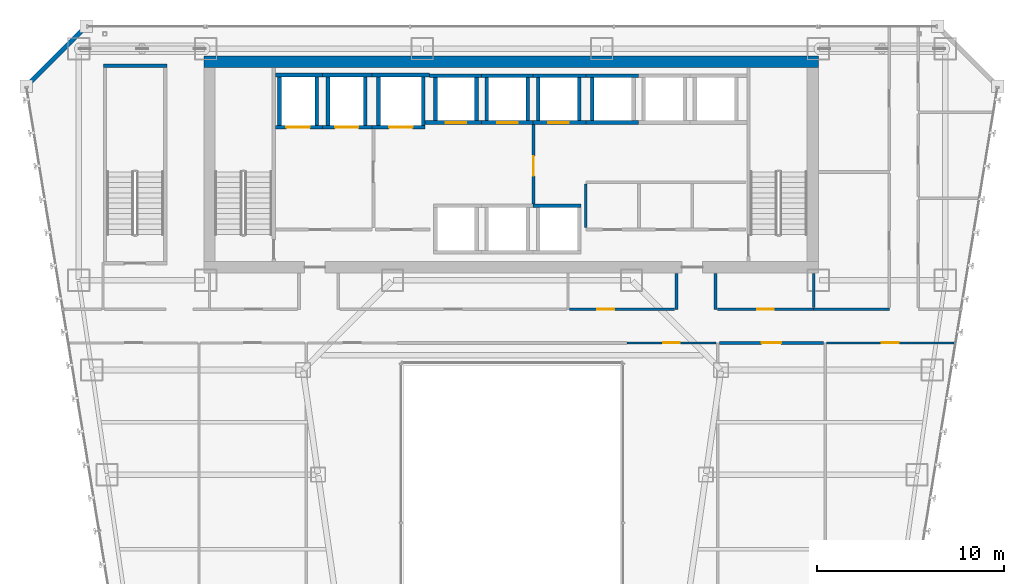
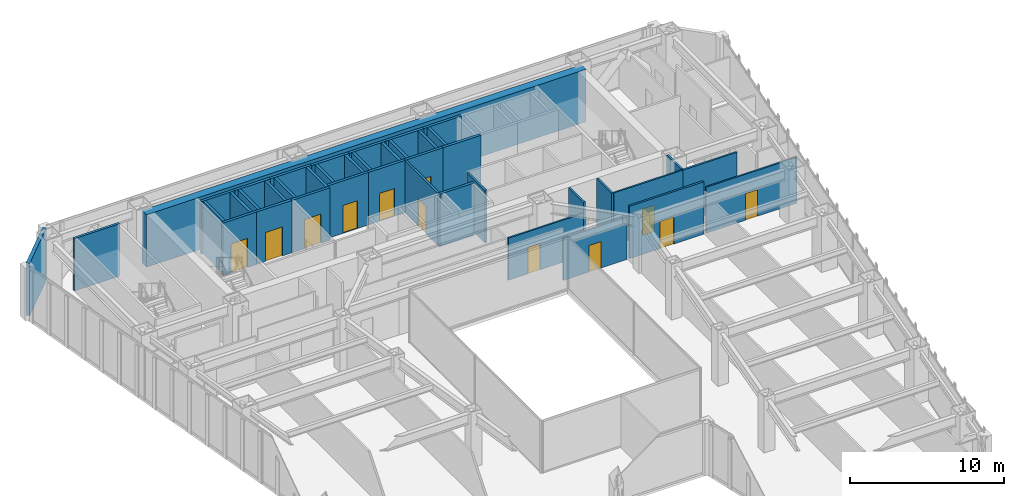
# One storey, part 37 of 47: 42 walls, 12 doors, 12 openings.
"""IFC4 building model written with IfcOpenShell, lengths in metres."""

import ifcopenshell
import ifcopenshell.guid

model = None  # the IFC model being written
_history = None  # IfcOwnerHistory: only IFC2X3 demands one
_inside = {}  # id of a spatial element -> (the spatial element, [elements in it])
_under = {}  # id of a project, library or spatial element -> (it, [spatial elements below it])
_declared = {}  # id of a project -> (the project, [libraries it declares])
_typed = {}  # id of a type object -> (the type object, [elements of that type])
_made_of = {}  # id of a material, layer set ... -> (it, [elements and type objects made of it])


def new_model(schema):
    """Start an empty IFC model of exactly this schema.

    Asked for "IFC4X3", IfcOpenShell would pick the latest addendum, in which some entities
    have other attributes; the version numbers below select the first issue.
    IFC2X3 requires an IfcOwnerHistory on every rooted entity: one is made here for all.
    """
    global model, _history
    if schema == "IFC4X3":
        model = ifcopenshell.file(schema_version=(4, 3, 0, 0))
    else:
        model = ifcopenshell.file(schema=schema)
    _inside.clear()
    _under.clear()
    _declared.clear()
    _typed.clear()
    _made_of.clear()
    _history = None
    if model.schema == "IFC2X3":
        org = make("IfcOrganization", Name="unknown")
        user = make(
            "IfcPersonAndOrganization",
            ThePerson=make("IfcPerson", FamilyName="unknown"),
            TheOrganization=org,
        )
        app = make(
            "IfcApplication",
            ApplicationDeveloper=org,
            Version="unknown",
            ApplicationFullName="unknown",
            ApplicationIdentifier="unknown",
        )
        _history = make(
            "IfcOwnerHistory",
            OwningUser=user,
            OwningApplication=app,
            ChangeAction="ADDED",
            CreationDate=0,
        )
    return model


def make(cls, **values):
    """One entity of the class cls with the attributes given. An attribute that is None is left unset."""
    return model.create_entity(
        cls, **{name: value for name, value in values.items() if value is not None}
    )


def rooted(cls, **values):
    """An entity with a GlobalId (a new one), such as an element, a storey or a relation."""
    return make(cls, GlobalId=ifcopenshell.guid.new(), OwnerHistory=_history, **values)


def si_unit(unit_type, name, prefix=None):
    """IfcSIUnit, for example si_unit("LENGTHUNIT", "METRE", prefix="MILLI")."""
    return make("IfcSIUnit", UnitType=unit_type, Prefix=prefix, Name=name)


def assignment(units):
    """IfcUnitAssignment: the units of a project."""
    return None if units is None else make("IfcUnitAssignment", Units=units)


def point(xyz):
    """IfcCartesianPoint."""
    return None if xyz is None else make("IfcCartesianPoint", Coordinates=xyz)


def direction(xyz):
    """IfcDirection."""
    return None if xyz is None else make("IfcDirection", DirectionRatios=xyz)


def frame(location, z_axis=None, x_axis=None):
    """IfcAxis2Placement3D, a coordinate frame: its origin and axes. An axis left out is left unset."""
    return make(
        "IfcAxis2Placement3D",
        Location=point(location),
        Axis=direction(z_axis),
        RefDirection=direction(x_axis),
    )


def frame_2d(location, x_axis=None):
    """IfcAxis2Placement2D, a coordinate frame in the plane: its origin and x axis."""
    return make(
        "IfcAxis2Placement2D", Location=point(location), RefDirection=direction(x_axis)
    )


def origin():
    """The frame at (0, 0, 0) with its axes left unset."""
    return frame((0.0, 0.0, 0.0))


def place(relative_to, where):
    """IfcLocalPlacement: puts the frame where relative to a parent placement (None: the world)."""
    return make(
        "IfcLocalPlacement", PlacementRelTo=relative_to, RelativePlacement=where
    )


def context(
    kind, dimensions, precision=None, world=None, true_north=None, identifier=None
):
    """IfcGeometricRepresentationContext, for example the 3D "Model" context."""
    return make(
        "IfcGeometricRepresentationContext",
        ContextIdentifier=identifier,
        ContextType=kind,
        CoordinateSpaceDimension=dimensions,
        Precision=precision,
        WorldCoordinateSystem=world,
        TrueNorth=true_north,
    )


def subcontext(parent, identifier, kind, view, scale=None):
    """IfcGeometricRepresentationSubContext, for example "Body" below "Model"."""
    return make(
        "IfcGeometricRepresentationSubContext",
        ContextIdentifier=identifier,
        ContextType=kind,
        ParentContext=parent,
        TargetScale=scale,
        TargetView=view,
    )


def project(units=None, contexts=None):
    """IfcProject with its units and contexts."""
    return rooted(
        "IfcProject",
        Name="project",
        RepresentationContexts=contexts,
        UnitsInContext=assignment(units),
    )


def spatial(cls, under=None, at=None, **own):
    """A site, building, storey or space (cls), placed at a placement, below another one or the project."""
    s = rooted(cls, ObjectPlacement=at, **own)
    if under is not None:
        _under.setdefault(under.id(), (under, []))[1].append(s)
    return s


def profile(cls, at=None, kind="AREA", **sizes):
    """A parametric profile (cls). Its sizes go by their IFC names, for example OverallWidth=200.0."""
    return make(cls, ProfileType=kind, Position=at, **sizes)


def rectangle(**sizes):
    """IfcRectangleProfileDef."""
    return profile("IfcRectangleProfileDef", **sizes)


def extrude(swept, where, along, depth):
    """IfcExtrudedAreaSolid: the profile swept, set in the frame where, extruded along a direction by depth."""
    return make(
        "IfcExtrudedAreaSolid",
        SweptArea=swept,
        Position=where,
        ExtrudedDirection=direction(along),
        Depth=depth,
    )


def shape(context_of_items, identifier, shape_type, items):
    """IfcShapeRepresentation: the items that make up one representation, for example the "Body"."""
    return make(
        "IfcShapeRepresentation",
        ContextOfItems=context_of_items,
        RepresentationIdentifier=identifier,
        RepresentationType=shape_type,
        Items=items,
    )


def material(Name=None, Category=None):
    """IfcMaterial."""
    return make("IfcMaterial", Name=Name, Category=Category)


def layer(
    of_material, thickness, ventilated=None, Name=None, Category=None, Priority=None
):
    """IfcMaterialLayer: one layer of a wall or slab, of a material (None: an air gap)."""
    return make(
        "IfcMaterialLayer",
        Material=of_material,
        LayerThickness=thickness,
        IsVentilated=ventilated,
        Name=Name,
        Category=Category,
        Priority=Priority,
    )


def layer_set(layers, Name=None):
    """IfcMaterialLayerSet."""
    return make("IfcMaterialLayerSet", MaterialLayers=layers, LayerSetName=Name)


def made_of(thing, what):
    """Note that an element or type object is made of a material, layer set ...; save() writes the relation."""
    if what is not None:
        _made_of.setdefault(what.id(), (what, []))[1].append(thing)
    return thing


def type_object(cls, material=None, **own):
    """A type object (cls), such as IfcWallType, which elements share."""
    return made_of(rooted(cls, **own), material)


def element(
    cls,
    number,
    at=None,
    inside=None,
    cuts=None,
    type_object=None,
    material=None,
    context=None,
    identifier="Body",
    shape_type=None,
    held_by="IfcProductDefinitionShape",
    body=None,
    shapes=None,
    **own,
):
    """One element of the class cls, such as IfcWall. Its Tag is "e" and its number.

    at: its placement. inside: the storey or other place that contains it. cuts: it is an
    opening in that element (IfcRelVoidsElement). A single representation is given by context,
    identifier, shape_type and body (its items); several are given by shapes. held_by: the class
    of the entity that holds the representations. save() writes the other relations.
    """
    e = rooted(cls, Tag="e%d" % number, ObjectPlacement=at, **own)
    if body is not None:
        shapes = [shape(context, identifier, shape_type, body)]
    if shapes is not None:
        e.Representation = make(held_by, Representations=shapes)
    if inside is not None:
        _inside.setdefault(inside.id(), (inside, []))[1].append(e)
    if cuts is not None:
        rooted(
            "IfcRelVoidsElement", RelatingBuildingElement=cuts, RelatedOpeningElement=e
        )
    if type_object is not None:
        _typed.setdefault(type_object.id(), (type_object, []))[1].append(e)
    return made_of(e, material)


def fill(opening, filler):
    """IfcRelFillsElement: the door or window that sits in an opening."""
    return rooted(
        "IfcRelFillsElement",
        RelatingOpeningElement=opening,
        RelatedBuildingElement=filler,
    )


def aggregate(whole, parts):
    """IfcRelAggregates: a whole, such as a stair, and the parts it consists of."""
    return rooted("IfcRelAggregates", RelatingObject=whole, RelatedObjects=parts)


def save(model, path):
    """Write the relations noted so far, then the file.

    IfcRelAggregates (storeys below a building ...), IfcRelContainedInSpatialStructure (elements
    in a storey), IfcRelDefinesByType, IfcRelAssociatesMaterial and IfcRelDeclares: one each for
    every whole, place, type object, material and project.
    """
    for whole, parts in _under.values():
        aggregate(whole, parts)
    for where, things in _inside.values():
        rooted(
            "IfcRelContainedInSpatialStructure",
            RelatedElements=things,
            RelatingStructure=where,
        )
    for kind, things in _typed.values():
        rooted("IfcRelDefinesByType", RelatedObjects=things, RelatingType=kind)
    for what, things in _made_of.values():
        rooted("IfcRelAssociatesMaterial", RelatedObjects=things, RelatingMaterial=what)
    for by, libraries in _declared.values():
        rooted("IfcRelDeclares", RelatingContext=by, RelatedDefinitions=libraries)
    model.write(path)


model = new_model("IFC4")

# Units and contexts
model_context = context("Model", 3, precision=1e-05, world=origin(), true_north=direction((0.0, 1.0)))
body_context = subcontext(model_context, "Body", "Model", "MODEL_VIEW")
ifc_project = project(units=[si_unit("LENGTHUNIT", "METRE"), si_unit("AREAUNIT", "SQUARE_METRE"), si_unit("VOLUMEUNIT", "CUBIC_METRE"), si_unit("PLANEANGLEUNIT", "RADIAN"), si_unit("MASSUNIT", "GRAM", prefix="KILO")], contexts=[model_context])

# Site, building, storey
site_placement = place(None, origin())
site = spatial("IfcSite", under=ifc_project, at=site_placement, CompositionType="ELEMENT")
building_placement = place(site_placement, origin())
building = spatial("IfcBuilding", under=site, at=building_placement, Name="Saevonmaru Cultural Tower", CompositionType="ELEMENT")
storey_placement = place(building_placement, frame((0.0, 0.0, 69.199951171875)))
storey = spatial("IfcBuildingStorey", under=building, at=storey_placement, Name="L14", CompositionType="ELEMENT", Elevation=69.199951171875)

# Wall
ifc_material_1 = material(Name="Concrete C60/75", Category="concrete")
ifc_layer_1 = layer(ifc_material_1, 0.60009765625, Name="Concrete C60/75")
ifc_layer_set_1 = layer_set([ifc_layer_1], Name="Concrete C60/75")
wall_type_1 = type_object("IfcWallType", Name="WL-CORE-600", PredefinedType="SHEAR", material=ifc_layer_set_1)
wall_1_placement = place(storey_placement, frame((13.5, 54.10009765625, 0.0), z_axis=(0.0, 0.0, 1.0), x_axis=(1.0, 0.0, 0.0)))
element("IfcWall", 1, at=wall_1_placement, inside=storey, type_object=wall_type_1, Name="L14 Tower RC core shear wall N", PredefinedType="SHEAR", context=body_context, shape_type="SweptSolid", body=[
    extrude(rectangle(XDim=32.89990234375, YDim=0.60009765625, at=frame_2d((16.449951171875, 0.0))), origin(), (0.0, 0.0, 1.0), 4.150146484375),
])

# Wall, opening, door
ifc_material_2 = material(Name="Gypsum Fireboard Partition", Category="gypsum")
ifc_layer_2 = layer(ifc_material_2, 0.14990234375, Name="Gypsum Fireboard Partition")
ifc_layer_set_2 = layer_set([ifc_layer_2], Name="Gypsum Fireboard Partition")
wall_type_2 = type_object("IfcWallType", Name="WL-CORE-PART-150", PredefinedType="PARTITIONING", material=ifc_layer_set_2)
wall_2_placement = place(storey_placement, frame((31.14990234375, 46.5, 0.0), z_axis=(0.0, 0.0, 1.0), x_axis=(0.0, 1.0, 0.0)))
wall_2 = element("IfcWall", 2, at=wall_2_placement, inside=storey, type_object=wall_type_2, Name="L14 Lift Zone Baffle 1", PredefinedType="PARTITIONING", context=body_context, shape_type="SweptSolid", body=[
    extrude(rectangle(XDim=4.25, YDim=0.14990234375, at=frame_2d((2.125, 0.0))), origin(), (0.0, 0.0, 1.0), 4.150146484375),
])
opening_1_placement = place(wall_2_placement, frame((1.5, 0.0, 0.0)))
opening_1 = element("IfcOpeningElement", 3, at=opening_1_placement, cuts=wall_2, Name="Opening ID-1", PredefinedType="OPENING", context=body_context, shape_type="SweptSolid", body=[
    extrude(rectangle(XDim=1.050048828125, YDim=2.14990234375, at=frame_2d((0.52490234375, 1.074951171875))), frame((0.0, 0.0849609375, 0.0), z_axis=(0.0, -1.0, 0.0), x_axis=(1.0, 0.0, 0.0)), (0.0, 0.0, 1.0), 0.169921875),
])
ifc_material_3 = material(Name="Satin Bronze Anodised Aluminium", Category="aluminium")
door_type_1 = type_object("IfcDoorType", Name="DR-INT-1050", OperationType="SINGLE_SWING_LEFT", PredefinedType="DOOR", material=ifc_material_3)
door_1_placement = place(opening_1_placement, origin())
door_1 = element("IfcDoor", 4, at=door_1_placement, inside=storey, type_object=door_type_1, Name="L14 West-Mid Lobby Portal", OperationType="SINGLE_SWING_LEFT", OverallHeight=2.14990234375, OverallWidth=1.050048828125, PredefinedType="DOOR", context=body_context, shape_type="SweptSolid", body=[
    extrude(rectangle(XDim=1.050048828125, YDim=2.14990234375, at=frame_2d((0.52490234375, 1.074951171875))), frame((0.0, 0.02490234375, 0.0), z_axis=(0.0, -1.0, 0.0), x_axis=(1.0, 0.0, 0.0)), (0.0, 0.0, 1.0), 0.050048828125),
])
fill(opening_1, door_1)

# Walls
wall_3_placement = place(storey_placement, frame((33.949951171875, 45.219970703125, 0.0), z_axis=(0.0, 0.0, 1.0), x_axis=(0.0, 1.0, 0.0)))
element("IfcWall", 5, at=wall_3_placement, inside=storey, type_object=wall_type_2, Name="L14 Core Utility West Wall", PredefinedType="PARTITIONING", context=body_context, shape_type="SweptSolid", body=[
    extrude(rectangle(XDim=2.330078125, YDim=0.14990234375, at=frame_2d((1.1650390625, 0.0))), origin(), (0.0, 0.0, 1.0), 4.150146484375),
])
ifc_material_4 = material(Name="Granite-Clad Precast Concrete C40/50", Category="masonry")
ifc_layer_3 = layer(ifc_material_4, 0.260009765625, Name="Granite-Clad Precast Concrete C40/50")
ifc_layer_set_3 = layer_set([ifc_layer_3], Name="Granite-Clad Precast Concrete C40/50")
wall_type_3 = type_object("IfcWallType", Name="WL-EXT-SPANDREL-260", PredefinedType="STANDARD", material=ifc_layer_set_3)
wall_4_placement = place(storey_placement, frame((7.0869140625, 55.886962890625, 0.0), z_axis=(0.0, 0.0, 1.0), x_axis=(-0.707106781187, -0.707106781187, 0.0)))
element("IfcWall", 6, at=wall_4_placement, inside=storey, type_object=wall_type_3, Name="L14 Chamfer Corner Spandrel Wall E11", PredefinedType="STANDARD", context=body_context, shape_type="SweptSolid", body=[
    extrude(rectangle(XDim=4.205810546875, YDim=0.260009765625, at=frame_2d((2.10302734375, 0.0))), origin(), (0.0, 0.0, 1.0), 4.150146484375),
])
ifc_layer_4 = layer(ifc_material_2, 0.14990234375, Name="Gypsum Fireboard Partition")
ifc_layer_set_4 = layer_set([ifc_layer_4], Name="Gypsum Fireboard Partition")
wall_type_4 = type_object("IfcWallType", Name="WL-PART-FIRE-150", PredefinedType="PARTITIONING", material=ifc_layer_set_4)
for number, where, z_axis, x_axis, name in (
    (7, (38.800048828125, 40.85009765625, 0.0), (0.0, 0.0, 1.0), (0.0, 1.0, 0.0), "L14 Core Portal Side Wall E1"),
    (8, (40.89990234375, 40.85009765625, 0.0), (0.0, 0.0, 1.0), (0.0, 1.0, 0.0), "L14 Core Portal Side Wall E2"),
):
    element("IfcWall", number, at=place(storey_placement, frame(where, z_axis=z_axis, x_axis=x_axis)), inside=storey, type_object=wall_type_4, Name=name, PredefinedType="PARTITIONING", context=body_context, shape_type="SweptSolid", body=[
        extrude(rectangle(XDim=1.929931640625, YDim=0.14990234375, at=frame_2d((0.96484375, 0.0))), origin(), (0.0, 0.0, 1.0), 4.150146484375),
    ])

# Wall, opening, door
wall_5_placement = place(storey_placement, frame((41.107421875, 39.050048828125, 0.0), z_axis=(0.0, 0.0, 1.0), x_axis=(1.0, 0.0, 0.0)))
wall_5 = element("IfcWall", 9, at=wall_5_placement, inside=storey, type_object=wall_type_4, Name="L14 Sky Observatory Gallery Corridor Wall", PredefinedType="PARTITIONING", context=body_context, shape_type="SweptSolid", body=[
    extrude(rectangle(XDim=5.565185546875, YDim=0.14990234375, at=frame_2d((2.78271484375, 0.0))), origin(), (0.0, 0.0, 1.0), 4.150146484375),
])
opening_2_placement = place(wall_5_placement, frame((2.257080078125, 0.0, 0.0)))
opening_2 = element("IfcOpeningElement", 10, at=opening_2_placement, cuts=wall_5, Name="Opening ID-1", PredefinedType="OPENING", context=body_context, shape_type="SweptSolid", body=[
    extrude(rectangle(XDim=1.050048828125, YDim=2.14990234375, at=frame_2d((0.52490234375, 1.074951171875))), frame((0.0, 0.0849609375, 0.0), z_axis=(0.0, -1.0, 0.0), x_axis=(1.0, 0.0, 0.0)), (0.0, 0.0, 1.0), 0.169921875),
])
door_2_placement = place(opening_2_placement, origin())
door_2 = element("IfcDoor", 11, at=door_2_placement, inside=storey, type_object=door_type_1, Name="L14 Sky Observatory Gallery Door", OperationType="SINGLE_SWING_LEFT", OverallHeight=2.14990234375, OverallWidth=1.050048828125, PredefinedType="DOOR", context=body_context, shape_type="SweptSolid", body=[
    extrude(rectangle(XDim=1.050048828125, YDim=2.14990234375, at=frame_2d((0.52490234375, 1.074951171875))), frame((0.0, 0.02490234375, 0.0), z_axis=(0.0, -1.0, 0.0), x_axis=(1.0, 0.0, 0.0)), (0.0, 0.0, 1.0), 0.050048828125),
])
fill(opening_2, door_2)

ifc_layer_5 = layer(ifc_material_2, 0.1201171875, Name="Gypsum Fireboard Partition")
ifc_layer_set_5 = layer_set([ifc_layer_5], Name="Gypsum Fireboard Partition")
wall_type_5 = type_object("IfcWallType", Name="WL-PART-GYP-120", PredefinedType="PARTITIONING", material=ifc_layer_set_5)
wall_6_placement = place(storey_placement, frame((33.080078125, 40.85009765625, 0.0), z_axis=(0.0, 0.0, 1.0), x_axis=(1.0, 0.0, 0.0)))
wall_6 = element("IfcWall", 12, at=wall_6_placement, inside=storey, type_object=wall_type_5, Name="L14 Civic Policy Meeting Room Corridor Wall", PredefinedType="PARTITIONING", context=body_context, shape_type="SweptSolid", body=[
    extrude(rectangle(XDim=5.625, YDim=0.1201171875, at=frame_2d((2.8125, 0.0))), origin(), (0.0, 0.0, 1.0), 3.3349609375),
])
opening_3_placement = place(wall_6_placement, frame((1.48291015625, 0.0, 0.0)))
opening_3 = element("IfcOpeningElement", 13, at=opening_3_placement, cuts=wall_6, Name="Opening ID-2", PredefinedType="OPENING", context=body_context, shape_type="SweptSolid", body=[
    extrude(rectangle(XDim=0.89990234375, YDim=2.10009765625, at=frame_2d((0.449951171875, 1.050048828125))), frame((0.0, 0.070068359375, 0.0), z_axis=(0.0, -1.0, 0.0), x_axis=(1.0, 0.0, 0.0)), (0.0, 0.0, 1.0), 0.14013671875),
])
ifc_material_5 = material(Name="Acoustic Stained Oak Timber", Category="wood")
door_type_2 = type_object("IfcDoorType", Name="DR-INT-900", OperationType="SINGLE_SWING_RIGHT", PredefinedType="DOOR", material=ifc_material_5)
door_3_placement = place(opening_3_placement, origin())
door_3 = element("IfcDoor", 14, at=door_3_placement, inside=storey, type_object=door_type_2, Name="L14 Civic Policy Meeting Room Door", OperationType="SINGLE_SWING_LEFT", OverallHeight=2.10009765625, OverallWidth=0.89990234375, PredefinedType="DOOR", context=body_context, shape_type="SweptSolid", body=[
    extrude(rectangle(XDim=0.89990234375, YDim=2.10009765625, at=frame_2d((0.449951171875, 1.050048828125))), frame((0.0, 0.02490234375, 0.0), z_axis=(0.0, -1.0, 0.0), x_axis=(1.0, 0.0, 0.0)), (0.0, 0.0, 1.0), 0.050048828125),
])
fill(opening_3, door_3)

wall_7_placement = place(storey_placement, frame((40.9951171875, 40.85009765625, 0.0), z_axis=(0.0, 0.0, 1.0), x_axis=(1.0, 0.0, 0.0)))
wall_7 = element("IfcWall", 15, at=wall_7_placement, inside=storey, type_object=wall_type_5, Name="L14 Typography Design Classroom Corridor Wall", PredefinedType="PARTITIONING", context=body_context, shape_type="SweptSolid", body=[
    extrude(rectangle(XDim=5.15478515625, YDim=0.1201171875, at=frame_2d((2.577392578125, 0.0))), origin(), (0.0, 0.0, 1.0), 4.150146484375),
])
opening_4_placement = place(wall_7_placement, frame((2.1279296875, 0.0, 0.0)))
opening_4 = element("IfcOpeningElement", 16, at=opening_4_placement, cuts=wall_7, Name="Opening ID-2", PredefinedType="OPENING", context=body_context, shape_type="SweptSolid", body=[
    extrude(rectangle(XDim=0.89990234375, YDim=2.10009765625, at=frame_2d((0.449951171875, 1.050048828125))), frame((0.0, 0.070068359375, 0.0), z_axis=(0.0, -1.0, 0.0), x_axis=(1.0, 0.0, 0.0)), (0.0, 0.0, 1.0), 0.14013671875),
])
door_4_placement = place(opening_4_placement, origin())
door_4 = element("IfcDoor", 17, at=door_4_placement, inside=storey, type_object=door_type_2, Name="L14 Typography Design Classroom Door", OperationType="SINGLE_SWING_RIGHT", OverallHeight=2.10009765625, OverallWidth=0.89990234375, PredefinedType="DOOR", context=body_context, shape_type="SweptSolid", body=[
    extrude(rectangle(XDim=0.89990234375, YDim=2.10009765625, at=frame_2d((0.449951171875, 1.050048828125))), frame((0.0, 0.02490234375, 0.0), z_axis=(0.0, -1.0, 0.0), x_axis=(1.0, 0.0, 0.0)), (0.0, 0.0, 1.0), 0.050048828125),
])
fill(opening_4, door_4)

wall_8_placement = place(storey_placement, frame((36.14990234375, 39.050048828125, 0.0), z_axis=(0.0, 0.0, 1.0), x_axis=(1.0, 0.0, 0.0)))
wall_8 = element("IfcWall", 18, at=wall_8_placement, inside=storey, type_object=wall_type_5, Name="L14 Typography Design Classroom Corridor Wall", PredefinedType="PARTITIONING", context=body_context, shape_type="SweptSolid", body=[
    extrude(rectangle(XDim=4.78271484375, YDim=0.1201171875, at=frame_2d((2.391357421875, 0.0))), origin(), (0.0, 0.0, 1.0), 3.3349609375),
])
opening_5_placement = place(wall_8_placement, frame((1.94091796875, 0.0, 0.0)))
opening_5 = element("IfcOpeningElement", 19, at=opening_5_placement, cuts=wall_8, Name="Opening ID-2", PredefinedType="OPENING", context=body_context, shape_type="SweptSolid", body=[
    extrude(rectangle(XDim=0.89990234375, YDim=2.10009765625, at=frame_2d((0.449951171875, 1.050048828125))), frame((0.0, 0.070068359375, 0.0), z_axis=(0.0, -1.0, 0.0), x_axis=(1.0, 0.0, 0.0)), (0.0, 0.0, 1.0), 0.14013671875),
])
door_5_placement = place(opening_5_placement, origin())
door_5 = element("IfcDoor", 20, at=door_5_placement, inside=storey, type_object=door_type_2, Name="L14 Typography Design Classroom Door", OperationType="SINGLE_SWING_RIGHT", OverallHeight=2.10009765625, OverallWidth=0.89990234375, PredefinedType="DOOR", context=body_context, shape_type="SweptSolid", body=[
    extrude(rectangle(XDim=0.89990234375, YDim=2.10009765625, at=frame_2d((0.449951171875, 1.050048828125))), frame((0.0, 0.02490234375, 0.0), z_axis=(0.0, -1.0, 0.0), x_axis=(1.0, 0.0, 0.0)), (0.0, 0.0, 1.0), 0.050048828125),
])
fill(opening_5, door_5)

wall_9_placement = place(storey_placement, frame((46.847412109375, 39.050048828125, 0.0), z_axis=(0.0, 0.0, 1.0), x_axis=(1.0, 0.0, 0.0)))
wall_9 = element("IfcWall", 21, at=wall_9_placement, inside=storey, type_object=wall_type_5, Name="L14 Civic Policy Meeting Room Corridor Wall", PredefinedType="PARTITIONING", context=body_context, shape_type="SweptSolid", body=[
    extrude(rectangle(XDim=6.80419921875, YDim=0.1201171875, at=frame_2d((3.402099609375, 0.0))), origin(), (0.0, 0.0, 1.0), 3.635009765625),
])
opening_6_placement = place(wall_9_placement, frame((2.951904296875, 0.0, 0.0)))
opening_6 = element("IfcOpeningElement", 22, at=opening_6_placement, cuts=wall_9, Name="Opening ID-2", PredefinedType="OPENING", context=body_context, shape_type="SweptSolid", body=[
    extrude(rectangle(XDim=0.89990234375, YDim=2.10009765625, at=frame_2d((0.449951171875, 1.050048828125))), frame((0.0, 0.070068359375, 0.0), z_axis=(0.0, -1.0, 0.0), x_axis=(1.0, 0.0, 0.0)), (0.0, 0.0, 1.0), 0.14013671875),
])
door_6_placement = place(opening_6_placement, origin())
door_6 = element("IfcDoor", 23, at=door_6_placement, inside=storey, type_object=door_type_2, Name="L14 Civic Policy Meeting Room Door", OperationType="SINGLE_SWING_RIGHT", OverallHeight=2.10009765625, OverallWidth=0.89990234375, PredefinedType="DOOR", context=body_context, shape_type="SweptSolid", body=[
    extrude(rectangle(XDim=0.89990234375, YDim=2.10009765625, at=frame_2d((0.449951171875, 1.050048828125))), frame((0.0, 0.02490234375, 0.0), z_axis=(0.0, -1.0, 0.0), x_axis=(1.0, 0.0, 0.0)), (0.0, 0.0, 1.0), 0.050048828125),
])
fill(opening_6, door_6)

# Walls
ifc_layer_6 = layer(ifc_material_2, 0.139892578125, Name="Gypsum Fireboard Partition")
ifc_layer_set_6 = layer_set([ifc_layer_6], Name="Gypsum Fireboard Partition")
wall_type_6 = type_object("IfcWallType", Name="WL-PART-WET-140", PredefinedType="PARTITIONING", material=ifc_layer_set_6)
wall_10_placement = place(storey_placement, frame((46.14990234375, 40.85009765625, 0.0), z_axis=(0.0, 0.0, 1.0), x_axis=(1.0, 0.0, 0.0)))
element("IfcWall", 24, at=wall_10_placement, inside=storey, type_object=wall_type_6, Name="L14 Washroom South Wall", PredefinedType="PARTITIONING", context=body_context, shape_type="SweptSolid", body=[
    extrude(rectangle(XDim=4.050048828125, YDim=0.139892578125, at=frame_2d((2.02490234375, 0.0))), origin(), (0.0, 0.0, 1.0), 4.150146484375),
])
wall_11_placement = place(storey_placement, frame((46.14990234375, 40.93994140625, 0.0), z_axis=(0.0, 0.0, 1.0), x_axis=(0.0, 1.0, 0.0)))
element("IfcWall", 25, at=wall_11_placement, inside=storey, type_object=wall_type_6, Name="L14 Washroom South-West Return", PredefinedType="PARTITIONING", context=body_context, shape_type="SweptSolid", body=[
    extrude(rectangle(XDim=1.840087890625, YDim=0.139892578125, at=frame_2d((0.919921875, 0.0))), origin(), (0.0, 0.0, 1.0), 4.150146484375),
])

# Wall, opening, door
ifc_material_6 = material(Name="Concrete C40/50", Category="concrete")
ifc_layer_7 = layer(ifc_material_6, 0.199951171875, Name="Concrete C40/50")
ifc_layer_set_7 = layer_set([ifc_layer_7], Name="Concrete C40/50")
wall_type_7 = type_object("IfcWallType", Name="WL-SHAFT-200", PredefinedType="SHEAR", material=ifc_layer_set_7)
wall_12_placement = place(storey_placement, frame((17.330078125, 50.60009765625, 0.0), z_axis=(0.0, 0.0, 1.0), x_axis=(1.0, 0.0, 0.0)))
wall_12 = element("IfcWall", 26, at=wall_12_placement, inside=storey, type_object=wall_type_7, Name="L14 Lift FFL-1 Hoistway Wall S", PredefinedType="SHEAR", context=body_context, shape_type="SweptSolid", body=[
    extrude(rectangle(XDim=2.52001953125, YDim=0.199951171875, at=frame_2d((1.260009765625, 0.0))), origin(), (0.0, 0.0, 1.0), 4.150146484375),
])
opening_7_placement = place(wall_12_placement, frame((0.594970703125, 0.0, 0.0)))
opening_7 = element("IfcOpeningElement", 27, at=opening_7_placement, cuts=wall_12, Name="Opening LD-2", PredefinedType="OPENING", context=body_context, shape_type="SweptSolid", body=[
    extrude(rectangle(XDim=1.25, YDim=2.300048828125, at=frame_2d((0.625, 1.14990234375))), frame((0.0, 0.10986328125, 0.0), z_axis=(0.0, -1.0, 0.0), x_axis=(1.0, 0.0, 0.0)), (0.0, 0.0, 1.0), 0.219970703125),
])
ifc_material_7 = material(Name="Stainless Steel 316", Category="steel")
door_type_3 = type_object("IfcDoorType", Name="DR-LIFT-1250", OperationType="SLIDING_TO_LEFT", PredefinedType="DOOR", material=ifc_material_7)
door_7_placement = place(opening_7_placement, origin())
door_7 = element("IfcDoor", 28, at=door_7_placement, inside=storey, type_object=door_type_3, Name="L14 Lift FFL-1 Sliding Landing Door", OperationType="SLIDING_TO_LEFT", OverallHeight=2.300048828125, OverallWidth=1.25, PredefinedType="DOOR", context=body_context, shape_type="SweptSolid", body=[
    extrude(rectangle(XDim=1.25, YDim=2.300048828125, at=frame_2d((0.625, 1.14990234375))), frame((0.0, 0.02490234375, 0.0), z_axis=(0.0, -1.0, 0.0), x_axis=(1.0, 0.0, 0.0)), (0.0, 0.0, 1.0), 0.050048828125),
])
fill(opening_7, door_7)

# Walls
wall_13_placement = place(storey_placement, frame((17.330078125, 53.39990234375, 0.0), z_axis=(0.0, 0.0, 1.0), x_axis=(1.0, 0.0, 0.0)))
element("IfcWall", 29, at=wall_13_placement, inside=storey, type_object=wall_type_7, Name="L14 Lift FFL-1 Hoistway Wall N", PredefinedType="SHEAR", context=body_context, shape_type="SweptSolid", body=[
    extrude(rectangle(XDim=2.52001953125, YDim=0.199951171875, at=frame_2d((1.260009765625, 0.0))), origin(), (0.0, 0.0, 1.0), 4.150146484375),
])
for number, where, z_axis, x_axis, name in (
    (30, (17.550048828125, 50.699951171875, 0.0), (0.0, 0.0, 1.0), (0.0, 1.0, 0.0), "L14 Lift FFL-1 Hoistway Wall W"),
    (31, (19.550048828125, 50.699951171875, 0.0), (0.0, 0.0, 1.0), (0.0, 1.0, 0.0), "L14 Lift FFL-1 Hoistway Wall E"),
):
    element("IfcWall", number, at=place(storey_placement, frame(where, z_axis=z_axis, x_axis=x_axis)), inside=storey, type_object=wall_type_7, Name=name, PredefinedType="SHEAR", context=body_context, shape_type="SweptSolid", body=[
        extrude(rectangle(XDim=2.60009765625, YDim=0.199951171875, at=frame_2d((1.300048828125, 0.0))), origin(), (0.0, 0.0, 1.0), 4.150146484375),
    ])

# Wall, opening, door
wall_14_placement = place(storey_placement, frame((19.85009765625, 50.60009765625, 0.0), z_axis=(0.0, 0.0, 1.0), x_axis=(1.0, 0.0, 0.0)))
wall_14 = element("IfcWall", 32, at=wall_14_placement, inside=storey, type_object=wall_type_7, Name="L14 Lift FFL-2 Hoistway Wall S", PredefinedType="SHEAR", context=body_context, shape_type="SweptSolid", body=[
    extrude(rectangle(XDim=2.64990234375, YDim=0.199951171875, at=frame_2d((1.324951171875, 0.0))), origin(), (0.0, 0.0, 1.0), 4.150146484375),
])
opening_8_placement = place(wall_14_placement, frame((0.675048828125, 0.0, 0.0)))
opening_8 = element("IfcOpeningElement", 33, at=opening_8_placement, cuts=wall_14, Name="Opening LD-2", PredefinedType="OPENING", context=body_context, shape_type="SweptSolid", body=[
    extrude(rectangle(XDim=1.25, YDim=2.300048828125, at=frame_2d((0.625, 1.14990234375))), frame((0.0, 0.10986328125, 0.0), z_axis=(0.0, -1.0, 0.0), x_axis=(1.0, 0.0, 0.0)), (0.0, 0.0, 1.0), 0.219970703125),
])
door_8_placement = place(opening_8_placement, origin())
door_8 = element("IfcDoor", 34, at=door_8_placement, inside=storey, type_object=door_type_3, Name="L14 Lift FFL-2 Sliding Landing Door", OperationType="SLIDING_TO_LEFT", OverallHeight=2.300048828125, OverallWidth=1.25, PredefinedType="DOOR", context=body_context, shape_type="SweptSolid", body=[
    extrude(rectangle(XDim=1.25, YDim=2.300048828125, at=frame_2d((0.625, 1.14990234375))), frame((0.0, 0.02490234375, 0.0), z_axis=(0.0, -1.0, 0.0), x_axis=(1.0, 0.0, 0.0)), (0.0, 0.0, 1.0), 0.050048828125),
])
fill(opening_8, door_8)

# Walls
wall_15_placement = place(storey_placement, frame((19.85009765625, 53.39990234375, 0.0), z_axis=(0.0, 0.0, 1.0), x_axis=(1.0, 0.0, 0.0)))
element("IfcWall", 35, at=wall_15_placement, inside=storey, type_object=wall_type_7, Name="L14 Lift FFL-2 Hoistway Wall N", PredefinedType="SHEAR", context=body_context, shape_type="SweptSolid", body=[
    extrude(rectangle(XDim=2.64990234375, YDim=0.199951171875, at=frame_2d((1.324951171875, 0.0))), origin(), (0.0, 0.0, 1.0), 4.150146484375),
])
for number, where, z_axis, x_axis, name in (
    (36, (20.14990234375, 50.699951171875, 0.0), (0.0, 0.0, 1.0), (0.0, 1.0, 0.0), "L14 Lift FFL-2 Hoistway Wall W"),
    (37, (22.14990234375, 50.699951171875, 0.0), (0.0, 0.0, 1.0), (0.0, 1.0, 0.0), "L14 Lift FFL-2 Hoistway Wall E"),
):
    element("IfcWall", number, at=place(storey_placement, frame(where, z_axis=z_axis, x_axis=x_axis)), inside=storey, type_object=wall_type_7, Name=name, PredefinedType="SHEAR", context=body_context, shape_type="SweptSolid", body=[
        extrude(rectangle(XDim=2.60009765625, YDim=0.199951171875, at=frame_2d((1.300048828125, 0.0))), origin(), (0.0, 0.0, 1.0), 4.150146484375),
    ])

# Wall, opening, door
wall_16_placement = place(storey_placement, frame((22.5, 50.60009765625, 0.0), z_axis=(0.0, 0.0, 1.0), x_axis=(1.0, 0.0, 0.0)))
wall_16 = element("IfcWall", 38, at=wall_16_placement, inside=storey, type_object=wall_type_7, Name="L14 Lift GL-1 Hoistway Wall S", PredefinedType="SHEAR", context=body_context, shape_type="SweptSolid", body=[
    extrude(rectangle(XDim=2.85009765625, YDim=0.199951171875, at=frame_2d((1.425048828125, 0.0))), origin(), (0.0, 0.0, 1.0), 4.150146484375),
])
opening_9_placement = place(wall_16_placement, frame((0.925048828125, 0.0, 0.0)))
opening_9 = element("IfcOpeningElement", 39, at=opening_9_placement, cuts=wall_16, Name="Opening LD-2", PredefinedType="OPENING", context=body_context, shape_type="SweptSolid", body=[
    extrude(rectangle(XDim=1.25, YDim=2.300048828125, at=frame_2d((0.625, 1.14990234375))), frame((0.0, 0.10986328125, 0.0), z_axis=(0.0, -1.0, 0.0), x_axis=(1.0, 0.0, 0.0)), (0.0, 0.0, 1.0), 0.219970703125),
])
door_9_placement = place(opening_9_placement, origin())
door_9 = element("IfcDoor", 40, at=door_9_placement, inside=storey, type_object=door_type_3, Name="L14 Lift GL-1 Sliding Landing Door", OperationType="SLIDING_TO_LEFT", OverallHeight=2.300048828125, OverallWidth=1.25, PredefinedType="DOOR", context=body_context, shape_type="SweptSolid", body=[
    extrude(rectangle(XDim=1.25, YDim=2.300048828125, at=frame_2d((0.625, 1.14990234375))), frame((0.0, 0.02490234375, 0.0), z_axis=(0.0, -1.0, 0.0), x_axis=(1.0, 0.0, 0.0)), (0.0, 0.0, 1.0), 0.050048828125),
])
fill(opening_9, door_9)

# Walls
wall_17_placement = place(storey_placement, frame((22.5, 53.39990234375, 0.0), z_axis=(0.0, 0.0, 1.0), x_axis=(1.0, 0.0, 0.0)))
element("IfcWall", 41, at=wall_17_placement, inside=storey, type_object=wall_type_7, Name="L14 Lift GL-1 Hoistway Wall N", PredefinedType="SHEAR", context=body_context, shape_type="SweptSolid", body=[
    extrude(rectangle(XDim=3.074951171875, YDim=0.199951171875, at=frame_2d((1.53759765625, 0.0))), origin(), (0.0, 0.0, 1.0), 4.150146484375),
])
for number, where, z_axis, x_axis, name in (
    (42, (22.85009765625, 50.699951171875, 0.0), (0.0, 0.0, 1.0), (0.0, 1.0, 0.0), "L14 Lift GL-1 Hoistway Wall W"),
    (43, (25.25, 50.699951171875, 0.0), (0.0, 0.0, 1.0), (0.0, 1.0, 0.0), "L14 Lift GL-1 Hoistway Wall E"),
):
    element("IfcWall", number, at=place(storey_placement, frame(where, z_axis=z_axis, x_axis=x_axis)), inside=storey, type_object=wall_type_7, Name=name, PredefinedType="SHEAR", context=body_context, shape_type="SweptSolid", body=[
        extrude(rectangle(XDim=2.60009765625, YDim=0.199951171875, at=frame_2d((1.300048828125, 0.0))), origin(), (0.0, 0.0, 1.0), 4.150146484375),
    ])

# Wall, opening, door
wall_18_placement = place(storey_placement, frame((25.35009765625, 50.85009765625, 0.0), z_axis=(0.0, 0.0, 1.0), x_axis=(1.0, 0.0, 0.0)))
wall_18 = element("IfcWall", 44, at=wall_18_placement, inside=storey, type_object=wall_type_7, Name="L14 Lift PL-L1 Hoistway Wall S", PredefinedType="SHEAR", context=body_context, shape_type="SweptSolid", body=[
    extrude(rectangle(XDim=3.02490234375, YDim=0.199951171875, at=frame_2d((1.512451171875, 0.0))), origin(), (0.0, 0.0, 1.0), 4.150146484375),
])
opening_10_placement = place(wall_18_placement, frame((1.10009765625, 0.0, 0.0)))
opening_10 = element("IfcOpeningElement", 45, at=opening_10_placement, cuts=wall_18, Name="Opening LD-1", PredefinedType="OPENING", context=body_context, shape_type="SweptSolid", body=[
    extrude(rectangle(XDim=1.10009765625, YDim=2.199951171875, at=frame_2d((0.550048828125, 1.10009765625))), frame((0.0, 0.10986328125, 0.0), z_axis=(0.0, -1.0, 0.0), x_axis=(1.0, 0.0, 0.0)), (0.0, 0.0, 1.0), 0.219970703125),
])
ifc_material_8 = material(Name="Satin Bronze Stainless Steel", Category="steel")
door_type_4 = type_object("IfcDoorType", Name="DR-LIFT-1100", OperationType="SLIDING_TO_LEFT", PredefinedType="DOOR", material=ifc_material_8)
door_10_placement = place(opening_10_placement, origin())
door_10 = element("IfcDoor", 46, at=door_10_placement, inside=storey, type_object=door_type_4, Name="L14 Lift PL-L1 Sliding Landing Door", OperationType="SLIDING_TO_LEFT", OverallHeight=2.199951171875, OverallWidth=1.10009765625, PredefinedType="DOOR", context=body_context, shape_type="SweptSolid", body=[
    extrude(rectangle(XDim=1.10009765625, YDim=2.199951171875, at=frame_2d((0.550048828125, 1.10009765625))), frame((0.0, 0.02490234375, 0.0), z_axis=(0.0, -1.0, 0.0), x_axis=(1.0, 0.0, 0.0)), (0.0, 0.0, 1.0), 0.050048828125),
])
fill(opening_10, door_10)

# Walls
wall_19_placement = place(storey_placement, frame((25.574951171875, 53.35009765625, 0.0), z_axis=(0.0, 0.0, 1.0), x_axis=(1.0, 0.0, 0.0)))
element("IfcWall", 47, at=wall_19_placement, inside=storey, type_object=wall_type_7, Name="L14 Lift PL-L1 Hoistway Wall N", PredefinedType="SHEAR", context=body_context, shape_type="SweptSolid", body=[
    extrude(rectangle(XDim=2.800048828125, YDim=0.199951171875, at=frame_2d((1.39990234375, 0.0))), origin(), (0.0, 0.0, 1.0), 4.150146484375),
])
for number, where, z_axis, x_axis, name in (
    (48, (25.89990234375, 50.949951171875, 0.0), (0.0, 0.0, 1.0), (0.0, 1.0, 0.0), "L14 Lift PL-L1 Hoistway Wall W"),
    (49, (28.10009765625, 50.949951171875, 0.0), (0.0, 0.0, 1.0), (0.0, 1.0, 0.0), "L14 Lift PL-L1 Hoistway Wall E"),
):
    element("IfcWall", number, at=place(storey_placement, frame(where, z_axis=z_axis, x_axis=x_axis)), inside=storey, type_object=wall_type_7, Name=name, PredefinedType="SHEAR", context=body_context, shape_type="SweptSolid", body=[
        extrude(rectangle(XDim=2.300048828125, YDim=0.199951171875, at=frame_2d((1.14990234375, 0.0))), origin(), (0.0, 0.0, 1.0), 4.150146484375),
    ])

# Wall, opening, door
wall_20_placement = place(storey_placement, frame((28.375, 50.85009765625, 0.0), z_axis=(0.0, 0.0, 1.0), x_axis=(1.0, 0.0, 0.0)))
wall_20 = element("IfcWall", 50, at=wall_20_placement, inside=storey, type_object=wall_type_7, Name="L14 Lift PL-L2 Hoistway Wall S", PredefinedType="SHEAR", context=body_context, shape_type="SweptSolid", body=[
    extrude(rectangle(XDim=2.75, YDim=0.199951171875, at=frame_2d((1.375, 0.0))), origin(), (0.0, 0.0, 1.0), 4.150146484375),
])
opening_11_placement = place(wall_20_placement, frame((0.824951171875, 0.0, 0.0)))
opening_11 = element("IfcOpeningElement", 51, at=opening_11_placement, cuts=wall_20, Name="Opening LD-1", PredefinedType="OPENING", context=body_context, shape_type="SweptSolid", body=[
    extrude(rectangle(XDim=1.10009765625, YDim=2.199951171875, at=frame_2d((0.550048828125, 1.10009765625))), frame((0.0, 0.10986328125, 0.0), z_axis=(0.0, -1.0, 0.0), x_axis=(1.0, 0.0, 0.0)), (0.0, 0.0, 1.0), 0.219970703125),
])
door_11_placement = place(opening_11_placement, origin())
door_11 = element("IfcDoor", 52, at=door_11_placement, inside=storey, type_object=door_type_4, Name="L14 Lift PL-L2 Sliding Landing Door", OperationType="SLIDING_TO_LEFT", OverallHeight=2.199951171875, OverallWidth=1.10009765625, PredefinedType="DOOR", context=body_context, shape_type="SweptSolid", body=[
    extrude(rectangle(XDim=1.10009765625, YDim=2.199951171875, at=frame_2d((0.550048828125, 1.10009765625))), frame((0.0, 0.02490234375, 0.0), z_axis=(0.0, -1.0, 0.0), x_axis=(1.0, 0.0, 0.0)), (0.0, 0.0, 1.0), 0.050048828125),
])
fill(opening_11, door_11)

# Walls
wall_21_placement = place(storey_placement, frame((28.375, 53.35009765625, 0.0), z_axis=(0.0, 0.0, 1.0), x_axis=(1.0, 0.0, 0.0)))
element("IfcWall", 53, at=wall_21_placement, inside=storey, type_object=wall_type_7, Name="L14 Lift PL-L2 Hoistway Wall N", PredefinedType="SHEAR", context=body_context, shape_type="SweptSolid", body=[
    extrude(rectangle(XDim=2.75, YDim=0.199951171875, at=frame_2d((1.375, 0.0))), origin(), (0.0, 0.0, 1.0), 4.150146484375),
])
for number, where, z_axis, x_axis, name in (
    (54, (28.64990234375, 50.949951171875, 0.0), (0.0, 0.0, 1.0), (0.0, 1.0, 0.0), "L14 Lift PL-L2 Hoistway Wall W"),
    (55, (30.85009765625, 50.949951171875, 0.0), (0.0, 0.0, 1.0), (0.0, 1.0, 0.0), "L14 Lift PL-L2 Hoistway Wall E"),
):
    element("IfcWall", number, at=place(storey_placement, frame(where, z_axis=z_axis, x_axis=x_axis)), inside=storey, type_object=wall_type_7, Name=name, PredefinedType="SHEAR", context=body_context, shape_type="SweptSolid", body=[
        extrude(rectangle(XDim=2.300048828125, YDim=0.199951171875, at=frame_2d((1.14990234375, 0.0))), origin(), (0.0, 0.0, 1.0), 4.150146484375),
    ])

# Wall, opening, door
wall_22_placement = place(storey_placement, frame((31.125, 50.85009765625, 0.0), z_axis=(0.0, 0.0, 1.0), x_axis=(1.0, 0.0, 0.0)))
wall_22 = element("IfcWall", 56, at=wall_22_placement, inside=storey, type_object=wall_type_7, Name="L14 Lift PL-L3 Hoistway Wall S", PredefinedType="SHEAR", context=body_context, shape_type="SweptSolid", body=[
    extrude(rectangle(XDim=2.824951171875, YDim=0.199951171875, at=frame_2d((1.41259765625, 0.0))), origin(), (0.0, 0.0, 1.0), 4.150146484375),
])
opening_12_placement = place(wall_22_placement, frame((0.824951171875, 0.0, 0.0)))
opening_12 = element("IfcOpeningElement", 57, at=opening_12_placement, cuts=wall_22, Name="Opening LD-1", PredefinedType="OPENING", context=body_context, shape_type="SweptSolid", body=[
    extrude(rectangle(XDim=1.10009765625, YDim=2.199951171875, at=frame_2d((0.550048828125, 1.10009765625))), frame((0.0, 0.10986328125, 0.0), z_axis=(0.0, -1.0, 0.0), x_axis=(1.0, 0.0, 0.0)), (0.0, 0.0, 1.0), 0.219970703125),
])
door_12_placement = place(opening_12_placement, origin())
door_12 = element("IfcDoor", 58, at=door_12_placement, inside=storey, type_object=door_type_4, Name="L14 Lift PL-L3 Sliding Landing Door", OperationType="SLIDING_TO_LEFT", OverallHeight=2.199951171875, OverallWidth=1.10009765625, PredefinedType="DOOR", context=body_context, shape_type="SweptSolid", body=[
    extrude(rectangle(XDim=1.10009765625, YDim=2.199951171875, at=frame_2d((0.550048828125, 1.10009765625))), frame((0.0, 0.02490234375, 0.0), z_axis=(0.0, -1.0, 0.0), x_axis=(1.0, 0.0, 0.0)), (0.0, 0.0, 1.0), 0.050048828125),
])
fill(opening_12, door_12)

# Walls
wall_23_placement = place(storey_placement, frame((31.125, 53.35009765625, 0.0), z_axis=(0.0, 0.0, 1.0), x_axis=(1.0, 0.0, 0.0)))
element("IfcWall", 59, at=wall_23_placement, inside=storey, type_object=wall_type_7, Name="L14 Lift PL-L3 Hoistway Wall N", PredefinedType="SHEAR", context=body_context, shape_type="SweptSolid", body=[
    extrude(rectangle(XDim=2.824951171875, YDim=0.199951171875, at=frame_2d((1.41259765625, 0.0))), origin(), (0.0, 0.0, 1.0), 4.150146484375),
])
for number, where, z_axis, x_axis, name in (
    (60, (31.39990234375, 50.949951171875, 0.0), (0.0, 0.0, 1.0), (0.0, 1.0, 0.0), "L14 Lift PL-L3 Hoistway Wall W"),
    (61, (33.60009765625, 50.949951171875, 0.0), (0.0, 0.0, 1.0), (0.0, 1.0, 0.0), "L14 Lift PL-L3 Hoistway Wall E"),
):
    element("IfcWall", number, at=place(storey_placement, frame(where, z_axis=z_axis, x_axis=x_axis)), inside=storey, type_object=wall_type_7, Name=name, PredefinedType="SHEAR", context=body_context, shape_type="SweptSolid", body=[
        extrude(rectangle(XDim=2.300048828125, YDim=0.199951171875, at=frame_2d((1.14990234375, 0.0))), origin(), (0.0, 0.0, 1.0), 4.150146484375),
    ])
wall_24_placement = place(storey_placement, frame((31.125, 46.39990234375, 0.0), z_axis=(0.0, 0.0, 1.0), x_axis=(1.0, 0.0, 0.0)))
element("IfcWall", 62, at=wall_24_placement, inside=storey, type_object=wall_type_7, Name="L14 Lift PL-M3 Hoistway Wall N", PredefinedType="SHEAR", context=body_context, shape_type="SweptSolid", body=[
    extrude(rectangle(XDim=2.574951171875, YDim=0.199951171875, at=frame_2d((1.28759765625, 0.0))), origin(), (0.0, 0.0, 1.0), 4.150146484375),
])
for number, where, z_axis, x_axis, name in (
    (63, (33.949951171875, 50.85009765625, 0.0), (0.0, 0.0, 1.0), (1.0, 0.0, 0.0), "L14 Lift PL-H1 Hoistway Wall S"),
    (64, (33.949951171875, 53.35009765625, 0.0), (0.0, 0.0, 1.0), (1.0, 0.0, 0.0), "L14 Lift PL-H1 Hoistway Wall N"),
):
    element("IfcWall", number, at=place(storey_placement, frame(where, z_axis=z_axis, x_axis=x_axis)), inside=storey, type_object=wall_type_7, Name=name, PredefinedType="SHEAR", context=body_context, shape_type="SweptSolid", body=[
        extrude(rectangle(XDim=2.824951171875, YDim=0.199951171875, at=frame_2d((1.41259765625, 0.0))), origin(), (0.0, 0.0, 1.0), 4.150146484375),
    ])
wall_25_placement = place(storey_placement, frame((34.300048828125, 50.949951171875, 0.0), z_axis=(0.0, 0.0, 1.0), x_axis=(0.0, 1.0, 0.0)))
element("IfcWall", 65, at=wall_25_placement, inside=storey, type_object=wall_type_7, Name="L14 Lift PL-H1 Hoistway Wall W", PredefinedType="SHEAR", context=body_context, shape_type="SweptSolid", body=[
    extrude(rectangle(XDim=2.300048828125, YDim=0.199951171875, at=frame_2d((1.14990234375, 0.0))), origin(), (0.0, 0.0, 1.0), 4.150146484375),
])
ifc_layer_8 = layer(ifc_material_6, 0.179931640625, Name="Concrete C40/50")
ifc_layer_set_8 = layer_set([ifc_layer_8], Name="Concrete C40/50")
wall_type_8 = type_object("IfcWallType", Name="WL-STSHAFT-180", PredefinedType="SHEAR", material=ifc_layer_set_8)
wall_26_placement = place(storey_placement, frame((11.530029296875, 53.889892578125, 0.0), z_axis=(0.0, 0.0, 1.0), x_axis=(-1.0, 0.0, 0.0)))
element("IfcWall", 66, at=wall_26_placement, inside=storey, type_object=wall_type_8, Name="L14 Stair ST-3 Structural Shaft Wall 3", PredefinedType="SHEAR", context=body_context, shape_type="SweptSolid", body=[
    extrude(rectangle(XDim=3.409912109375, YDim=0.179931640625, at=frame_2d((1.705078125, 0.0))), origin(), (0.0, 0.0, 1.0), 4.150146484375),
])

save(model, "model.ifc")
